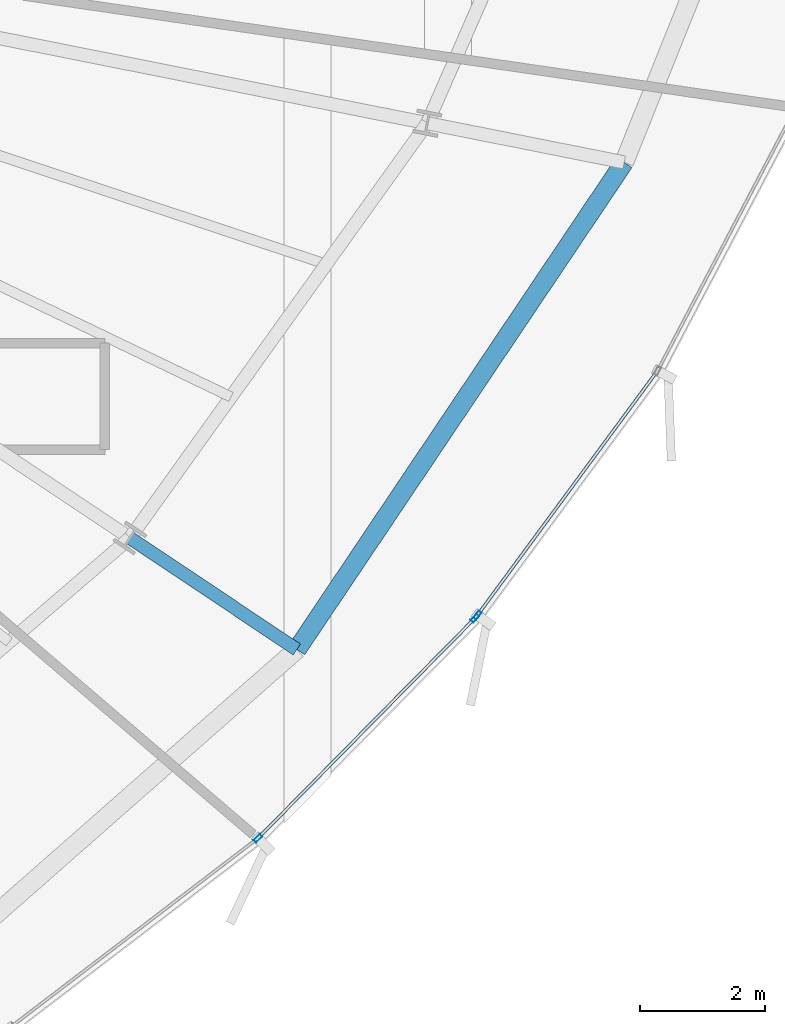
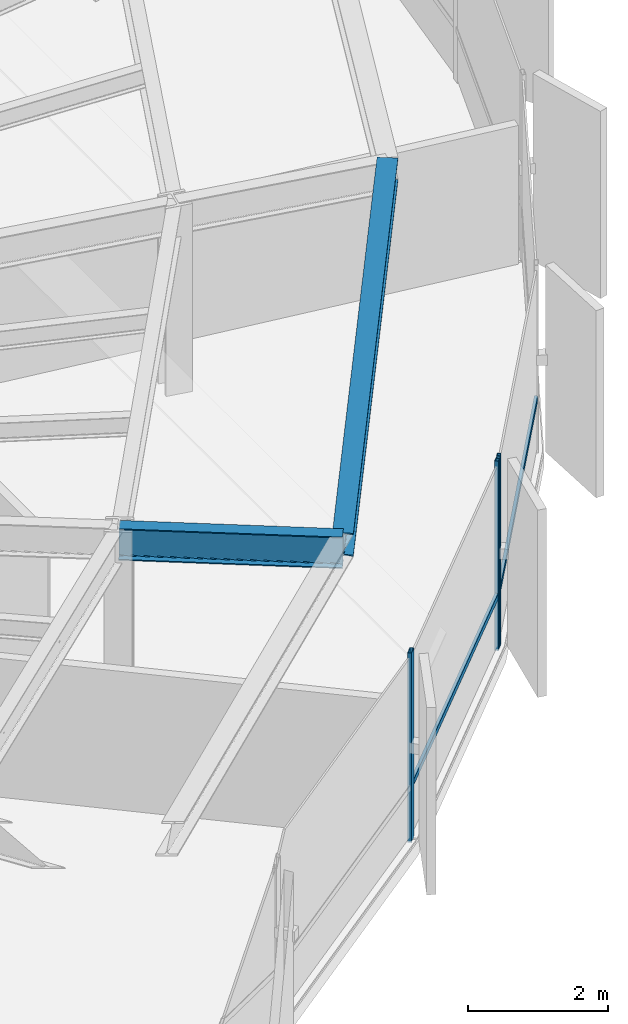
# One storey, part 14 of 35: 5 members, 2 beams, 2 elements without a shape of their own.
"""IFC4 building model written with IfcOpenShell, lengths in metres."""

import ifcopenshell
import ifcopenshell.guid

model = None  # the IFC model being written
_history = None  # IfcOwnerHistory: only IFC2X3 demands one
_inside = {}  # id of a spatial element -> (the spatial element, [elements in it])
_under = {}  # id of a project, library or spatial element -> (it, [spatial elements below it])
_declared = {}  # id of a project -> (the project, [libraries it declares])
_typed = {}  # id of a type object -> (the type object, [elements of that type])
_made_of = {}  # id of a material, layer set ... -> (it, [elements and type objects made of it])


def new_model(schema):
    """Start an empty IFC model of exactly this schema.

    Asked for "IFC4X3", IfcOpenShell would pick the latest addendum, in which some entities
    have other attributes; the version numbers below select the first issue.
    IFC2X3 requires an IfcOwnerHistory on every rooted entity: one is made here for all.
    """
    global model, _history
    if schema == "IFC4X3":
        model = ifcopenshell.file(schema_version=(4, 3, 0, 0))
    else:
        model = ifcopenshell.file(schema=schema)
    _inside.clear()
    _under.clear()
    _declared.clear()
    _typed.clear()
    _made_of.clear()
    _history = None
    if model.schema == "IFC2X3":
        org = make("IfcOrganization", Name="unknown")
        user = make(
            "IfcPersonAndOrganization",
            ThePerson=make("IfcPerson", FamilyName="unknown"),
            TheOrganization=org,
        )
        app = make(
            "IfcApplication",
            ApplicationDeveloper=org,
            Version="unknown",
            ApplicationFullName="unknown",
            ApplicationIdentifier="unknown",
        )
        _history = make(
            "IfcOwnerHistory",
            OwningUser=user,
            OwningApplication=app,
            ChangeAction="ADDED",
            CreationDate=0,
        )
    return model


def make(cls, **values):
    """One entity of the class cls with the attributes given. An attribute that is None is left unset."""
    return model.create_entity(
        cls, **{name: value for name, value in values.items() if value is not None}
    )


def rooted(cls, **values):
    """An entity with a GlobalId (a new one), such as an element, a storey or a relation."""
    return make(cls, GlobalId=ifcopenshell.guid.new(), OwnerHistory=_history, **values)


def si_unit(unit_type, name, prefix=None):
    """IfcSIUnit, for example si_unit("LENGTHUNIT", "METRE", prefix="MILLI")."""
    return make("IfcSIUnit", UnitType=unit_type, Prefix=prefix, Name=name)


def assignment(units):
    """IfcUnitAssignment: the units of a project."""
    return None if units is None else make("IfcUnitAssignment", Units=units)


def point(xyz):
    """IfcCartesianPoint."""
    return None if xyz is None else make("IfcCartesianPoint", Coordinates=xyz)


def direction(xyz):
    """IfcDirection."""
    return None if xyz is None else make("IfcDirection", DirectionRatios=xyz)


def frame(location, z_axis=None, x_axis=None):
    """IfcAxis2Placement3D, a coordinate frame: its origin and axes. An axis left out is left unset."""
    return make(
        "IfcAxis2Placement3D",
        Location=point(location),
        Axis=direction(z_axis),
        RefDirection=direction(x_axis),
    )


def frame_2d(location, x_axis=None):
    """IfcAxis2Placement2D, a coordinate frame in the plane: its origin and x axis."""
    return make(
        "IfcAxis2Placement2D", Location=point(location), RefDirection=direction(x_axis)
    )


def origin():
    """The frame at (0, 0, 0) with its axes left unset."""
    return frame((0.0, 0.0, 0.0))


def origin_2d():
    """The frame at (0, 0) in the plane with its x axis left unset."""
    return frame_2d((0.0, 0.0))


def place(relative_to, where):
    """IfcLocalPlacement: puts the frame where relative to a parent placement (None: the world)."""
    return make(
        "IfcLocalPlacement", PlacementRelTo=relative_to, RelativePlacement=where
    )


def context(
    kind, dimensions, precision=None, world=None, true_north=None, identifier=None
):
    """IfcGeometricRepresentationContext, for example the 3D "Model" context."""
    return make(
        "IfcGeometricRepresentationContext",
        ContextIdentifier=identifier,
        ContextType=kind,
        CoordinateSpaceDimension=dimensions,
        Precision=precision,
        WorldCoordinateSystem=world,
        TrueNorth=true_north,
    )


def subcontext(parent, identifier, kind, view, scale=None):
    """IfcGeometricRepresentationSubContext, for example "Body" below "Model"."""
    return make(
        "IfcGeometricRepresentationSubContext",
        ContextIdentifier=identifier,
        ContextType=kind,
        ParentContext=parent,
        TargetScale=scale,
        TargetView=view,
    )


def project(units=None, contexts=None):
    """IfcProject with its units and contexts."""
    return rooted(
        "IfcProject",
        Name="project",
        RepresentationContexts=contexts,
        UnitsInContext=assignment(units),
    )


def spatial(cls, under=None, at=None, **own):
    """A site, building, storey or space (cls), placed at a placement, below another one or the project."""
    s = rooted(cls, ObjectPlacement=at, **own)
    if under is not None:
        _under.setdefault(under.id(), (under, []))[1].append(s)
    return s


def profile(cls, at=None, kind="AREA", **sizes):
    """A parametric profile (cls). Its sizes go by their IFC names, for example OverallWidth=200.0."""
    return make(cls, ProfileType=kind, Position=at, **sizes)


def hollow_rectangle(**sizes):
    """IfcRectangleHollowProfileDef."""
    return profile("IfcRectangleHollowProfileDef", **sizes)


def i_section(**sizes):
    """IfcIShapeProfileDef."""
    return profile("IfcIShapeProfileDef", **sizes)


def extrude(swept, where, along, depth):
    """IfcExtrudedAreaSolid: the profile swept, set in the frame where, extruded along a direction by depth."""
    return make(
        "IfcExtrudedAreaSolid",
        SweptArea=swept,
        Position=where,
        ExtrudedDirection=direction(along),
        Depth=depth,
    )


def shape(context_of_items, identifier, shape_type, items):
    """IfcShapeRepresentation: the items that make up one representation, for example the "Body"."""
    return make(
        "IfcShapeRepresentation",
        ContextOfItems=context_of_items,
        RepresentationIdentifier=identifier,
        RepresentationType=shape_type,
        Items=items,
    )


def source(mapping_origin, context_of_items, identifier, shape_type, items):
    """IfcRepresentationMap: a shape defined once, which mapped items show again and again."""
    return make(
        "IfcRepresentationMap",
        MappingOrigin=mapping_origin,
        MappedRepresentation=shape(context_of_items, identifier, shape_type, items),
    )


def transform(
    local_origin,
    x_axis=None,
    y_axis=None,
    z_axis=None,
    scale=None,
    scale2=None,
    scale3=None,
    uniform=True,
):
    """IfcCartesianTransformationOperator3D, or its non-uniform kind. x_axis, y_axis, z_axis: its Axis1, 2, 3."""
    if uniform:
        return make(
            "IfcCartesianTransformationOperator3D",
            Axis1=direction(x_axis),
            Axis2=direction(y_axis),
            LocalOrigin=point(local_origin),
            Scale=scale,
            Axis3=direction(z_axis),
        )
    return make(
        "IfcCartesianTransformationOperator3DnonUniform",
        Axis1=direction(x_axis),
        Axis2=direction(y_axis),
        LocalOrigin=point(local_origin),
        Scale=scale,
        Axis3=direction(z_axis),
        Scale2=scale2,
        Scale3=scale3,
    )


def mapped(mapping_source, mapping_target):
    """IfcMappedItem: shows the shape of a source again, moved by a transform."""
    return make(
        "IfcMappedItem", MappingSource=mapping_source, MappingTarget=mapping_target
    )


def material(Name=None, Category=None):
    """IfcMaterial."""
    return make("IfcMaterial", Name=Name, Category=Category)


def layer(
    of_material, thickness, ventilated=None, Name=None, Category=None, Priority=None
):
    """IfcMaterialLayer: one layer of a wall or slab, of a material (None: an air gap)."""
    return make(
        "IfcMaterialLayer",
        Material=of_material,
        LayerThickness=thickness,
        IsVentilated=ventilated,
        Name=Name,
        Category=Category,
        Priority=Priority,
    )


def layer_set(layers, Name=None):
    """IfcMaterialLayerSet."""
    return make("IfcMaterialLayerSet", MaterialLayers=layers, LayerSetName=Name)


def material_profile(
    of_material, cross_section, Name=None, Category=None, Priority=None
):
    """IfcMaterialProfile: a cross section and its material."""
    return make(
        "IfcMaterialProfile",
        Name=Name,
        Material=of_material,
        Profile=cross_section,
        Priority=Priority,
        Category=Category,
    )


def profile_set(profiles, Name=None, composite=None):
    """IfcMaterialProfileSet."""
    return make(
        "IfcMaterialProfileSet",
        Name=Name,
        MaterialProfiles=profiles,
        CompositeProfile=composite,
    )


def made_of(thing, what):
    """Note that an element or type object is made of a material, layer set ...; save() writes the relation."""
    if what is not None:
        _made_of.setdefault(what.id(), (what, []))[1].append(thing)
    return thing


def type_object(cls, material=None, **own):
    """A type object (cls), such as IfcWallType, which elements share."""
    return made_of(rooted(cls, **own), material)


def element(
    cls,
    number,
    at=None,
    inside=None,
    cuts=None,
    type_object=None,
    material=None,
    context=None,
    identifier="Body",
    shape_type=None,
    held_by="IfcProductDefinitionShape",
    body=None,
    shapes=None,
    **own,
):
    """One element of the class cls, such as IfcWall. Its Tag is "e" and its number.

    at: its placement. inside: the storey or other place that contains it. cuts: it is an
    opening in that element (IfcRelVoidsElement). A single representation is given by context,
    identifier, shape_type and body (its items); several are given by shapes. held_by: the class
    of the entity that holds the representations. save() writes the other relations.
    """
    e = rooted(cls, Tag="e%d" % number, ObjectPlacement=at, **own)
    if body is not None:
        shapes = [shape(context, identifier, shape_type, body)]
    if shapes is not None:
        e.Representation = make(held_by, Representations=shapes)
    if inside is not None:
        _inside.setdefault(inside.id(), (inside, []))[1].append(e)
    if cuts is not None:
        rooted(
            "IfcRelVoidsElement", RelatingBuildingElement=cuts, RelatedOpeningElement=e
        )
    if type_object is not None:
        _typed.setdefault(type_object.id(), (type_object, []))[1].append(e)
    return made_of(e, material)


def aggregate(whole, parts):
    """IfcRelAggregates: a whole, such as a stair, and the parts it consists of."""
    return rooted("IfcRelAggregates", RelatingObject=whole, RelatedObjects=parts)


def save(model, path):
    """Write the relations noted so far, then the file.

    IfcRelAggregates (storeys below a building ...), IfcRelContainedInSpatialStructure (elements
    in a storey), IfcRelDefinesByType, IfcRelAssociatesMaterial and IfcRelDeclares: one each for
    every whole, place, type object, material and project.
    """
    for whole, parts in _under.values():
        aggregate(whole, parts)
    for where, things in _inside.values():
        rooted(
            "IfcRelContainedInSpatialStructure",
            RelatedElements=things,
            RelatingStructure=where,
        )
    for kind, things in _typed.values():
        rooted("IfcRelDefinesByType", RelatedObjects=things, RelatingType=kind)
    for what, things in _made_of.values():
        rooted("IfcRelAssociatesMaterial", RelatedObjects=things, RelatingMaterial=what)
    for by, libraries in _declared.values():
        rooted("IfcRelDeclares", RelatingContext=by, RelatedDefinitions=libraries)
    model.write(path)


model = new_model("IFC4")

# Units and contexts
model_context = context("Model", 3, precision=1e-05, world=origin(), true_north=direction((0.0, 1.0)))
body_context = subcontext(model_context, "Body", "Model", "MODEL_VIEW")
ifc_project = project(units=[si_unit("LENGTHUNIT", "METRE"), si_unit("AREAUNIT", "SQUARE_METRE"), si_unit("VOLUMEUNIT", "CUBIC_METRE"), si_unit("PLANEANGLEUNIT", "RADIAN"), si_unit("MASSUNIT", "GRAM", prefix="KILO"), si_unit("THERMODYNAMICTEMPERATUREUNIT", "KELVIN")], contexts=[model_context])

# Site, building, storey
site_placement = place(None, origin())
site = spatial("IfcSite", under=ifc_project, at=site_placement, CompositionType="ELEMENT")
building_placement = place(site_placement, origin())
building = spatial("IfcBuilding", under=site, at=building_placement, Name="Kethvar Cultural Tower", CompositionType="ELEMENT")
storey_placement = place(building_placement, frame((0.0, 0.0, 135.89990234375)))
storey = spatial("IfcBuildingStorey", under=building, at=storey_placement, Name="L34", CompositionType="ELEMENT", Elevation=135.89990234375)

# Beams
ifc_material_1 = material(Name="Steel S355J2", Category="steel")
ifc_material_profile_1 = material_profile(ifc_material_1, i_section(OverallWidth=0.2099609375, OverallDepth=0.550048828125, WebThickness=0.010986328125, FlangeThickness=0.01708984375, FilletRadius=0.02392578125, at=origin_2d()), Name="Steel S355J2 — IPE550")
ifc_profile_set_1 = profile_set([ifc_material_profile_1], Name="Steel S355J2 — IPE550")
beam_type_1 = type_object("IfcBeamType", Name="BM-IPE550", PredefinedType="BEAM", material=ifc_profile_set_1)
shared_shape_1 = source(origin(), body_context, "Body", "SweptSolid", [
    extrude(i_section(OverallWidth=0.2099609375, OverallDepth=0.550048828125, WebThickness=0.010986328125, FlangeThickness=0.01708984375, FilletRadius=0.02392578125, at=origin_2d()), origin(), (0.0, 0.0, 1.0), 3.199951171875),
])
beam_1_placement = place(storey_placement, frame((62.898681640625, 17.043212890625, 3.023193359375), z_axis=(0.831462943996, -0.555580212716, 0.0), x_axis=(0.555580212716, 0.831462943996, 0.0)))
element("IfcBeam", 1, at=beam_1_placement, inside=storey, type_object=beam_type_1, Name="L34 Perimeter Cantilever Beam RC-15", PredefinedType="BEAM", context=body_context, shape_type="MappedRepresentation", body=[
    mapped(shared_shape_1, transform((0.0, 0.0, 0.0), scale=1.0)),
])
ifc_material_profile_2 = material_profile(ifc_material_1, i_section(OverallWidth=0.300048828125, OverallDepth=0.39990234375, WebThickness=0.013427734375, FlangeThickness=0.02392578125, FilletRadius=0.027099609375, at=origin_2d()), Name="Steel S355J2 — HEB400")
ifc_profile_set_2 = profile_set([ifc_material_profile_2], Name="Steel S355J2 — HEB400")
beam_type_2 = type_object("IfcBeamType", Name="BM-SP400", PredefinedType="SPANDREL", material=ifc_profile_set_2)
shared_shape_2 = source(origin(), body_context, "Body", "SweptSolid", [
    extrude(i_section(OverallWidth=0.300048828125, OverallDepth=0.39990234375, WebThickness=0.013427734375, FlangeThickness=0.02392578125, FilletRadius=0.027099609375, at=origin_2d()), origin(), (0.0, 0.0, 1.0), 9.355224609375),
])
beam_2_placement = place(storey_placement, frame((65.559326171875, 15.265380859375, 3.09814453125), z_axis=(0.557731714622, 0.830021285573, 0.0), x_axis=(-0.830021285573, 0.557731714622, 0.0)))
element("IfcBeam", 2, at=beam_2_placement, inside=storey, type_object=beam_type_2, Name="L34 Perimeter Spandrel Beam SP-15", PredefinedType="SPANDREL", context=body_context, shape_type="MappedRepresentation", body=[
    mapped(shared_shape_2, transform((0.0, 0.0, 0.0), scale=1.0)),
])

# Curtain wall, members
ifc_material_2 = material(Name="Aluminium 6063-T6", Category="aluminium")
ifc_layer = layer(ifc_material_2, 0.179931640625, Name="Aluminium 6063-T6", Category="aluminium")
ifc_layer_set = layer_set([ifc_layer], Name="Aluminium 6063-T6 (180 mm)")
curtain_wall_type = type_object("IfcCurtainWallType", Name="CW-SYS-04-Z34", PredefinedType="NOTDEFINED", material=ifc_layer_set)
curtain_wall_1_placement = place(storey_placement, origin())
curtain_wall_1 = element("IfcCurtainWall", 3, at=curtain_wall_1_placement, inside=storey, type_object=curtain_wall_type, Name="L34 Curtain Wall Run 05", PredefinedType="NOTDEFINED")
ifc_material_profile_3 = material_profile(ifc_material_2, hollow_rectangle(XDim=0.06005859375, YDim=0.139892578125, WallThickness=0.0048828125, at=origin_2d()), Name="Aluminium 6063-T6 — RHS140x60x5")
ifc_profile_set_3 = profile_set([ifc_material_profile_3], Name="Aluminium 6063-T6 — RHS140x60x5")
member_type_1 = type_object("IfcMemberType", Name="CW-SYS-04-Z34-MUL", PredefinedType="MULLION", material=ifc_profile_set_3)
shared_shape_3 = source(origin(), body_context, "Body", "SweptSolid", [
    extrude(hollow_rectangle(XDim=0.06005859375, YDim=0.139892578125, WallThickness=0.0048828125, at=origin_2d()), origin(), (0.0, 0.0, 1.0), 3.300048828125),
])
member_1_placement = place(storey_placement, frame((64.9365234375, 12.25390625, 0.0), z_axis=(0.0, 0.0, 1.0), x_axis=(-0.712099571383, 0.702078485952, 0.0)))
member_1 = element("IfcMember", 4, at=member_1_placement, type_object=member_type_1, Name="CW-L34-R05 Mullion 6", PredefinedType="MULLION", context=body_context, shape_type="MappedRepresentation", body=[
    mapped(shared_shape_3, transform((0.0, 0.0, 0.0), scale=1.0)),
])
member_2_placement = place(storey_placement, frame((68.3974609375, 15.764404296875, 0.0), z_axis=(0.0, 0.0, 1.0), x_axis=(-0.712099571383, 0.702078485952, 0.0)))
member_2 = element("IfcMember", 5, at=member_2_placement, type_object=member_type_1, Name="CW-L34-R05 Mullion 7", PredefinedType="MULLION", context=body_context, shape_type="MappedRepresentation", body=[
    mapped(shared_shape_3, transform((0.0, 0.0, 0.0), scale=1.0)),
])

# Curtain wall, member
curtain_wall_2_placement = place(storey_placement, origin())
curtain_wall_2 = element("IfcCurtainWall", 6, at=curtain_wall_2_placement, inside=storey, type_object=curtain_wall_type, Name="L34 Curtain Wall Run 06", PredefinedType="NOTDEFINED")
member_3_placement = place(storey_placement, frame((68.437744140625, 15.8115234375, 0.0), z_axis=(0.0, 0.0, 1.0), x_axis=(-0.805059479785, 0.593194094718, 0.0)))
member_3 = element("IfcMember", 7, at=member_3_placement, type_object=member_type_1, Name="CW-L34-R06 Mullion 1", PredefinedType="MULLION", context=body_context, shape_type="MappedRepresentation", body=[
    mapped(shared_shape_3, transform((0.0, 0.0, 0.0), scale=1.0)),
])

# Member
ifc_material_profile_4 = material_profile(ifc_material_2, hollow_rectangle(XDim=0.050048828125, YDim=0.10009765625, WallThickness=0.00390625, at=origin_2d()), Name="Aluminium 6063-T6 — RHS100x50x4")
ifc_profile_set_4 = profile_set([ifc_material_profile_4], Name="Aluminium 6063-T6 — RHS100x50x4")
member_type_2 = type_object("IfcMemberType", Name="CW-SYS-04-Z34-TRN", PredefinedType="USERDEFINED", material=ifc_profile_set_4)
shared_shape_4 = source(origin(), body_context, "Body", "SweptSolid", [
    extrude(hollow_rectangle(XDim=0.050048828125, YDim=0.10009765625, WallThickness=0.00390625, at=origin_2d()), origin(), (0.0, 0.0, 1.0), 4.882080078125),
])
member_4_placement = place(storey_placement, frame((64.966796875, 12.284912109375, 0.9501953125), z_axis=(0.702088468721, 0.712089728959, 0.0), x_axis=(-0.712089728959, 0.702088468721, 0.0)))
member_4 = element("IfcMember", 8, at=member_4_placement, type_object=member_type_2, Name="CW-L34-R05 Transom 6", ObjectType="TRANSOM", PredefinedType="USERDEFINED", context=body_context, shape_type="MappedRepresentation", body=[
    mapped(shared_shape_4, transform((0.0, 0.0, 0.0), scale=1.0)),
])

aggregate(curtain_wall_1, [member_1, member_2, member_4])

shared_shape_5 = source(origin(), body_context, "Body", "SweptSolid", [
    extrude(hollow_rectangle(XDim=0.050048828125, YDim=0.10009765625, WallThickness=0.00390625, at=origin_2d()), origin(), (0.0, 0.0, 1.0), 4.808349609375),
])
member_5_placement = place(storey_placement, frame((68.440185546875, 15.81494140625, 0.9501953125), z_axis=(0.593186914326, 0.805064770483, 0.0), x_axis=(-0.805064770483, 0.593186914326, 0.0)))
member_5 = element("IfcMember", 9, at=member_5_placement, type_object=member_type_2, Name="CW-L34-R06 Transom 1", ObjectType="TRANSOM", PredefinedType="USERDEFINED", context=body_context, shape_type="MappedRepresentation", body=[
    mapped(shared_shape_5, transform((0.0, 0.0, 0.0), scale=1.0)),
])

aggregate(curtain_wall_2, [member_3, member_5])

save(model, "model.ifc")
